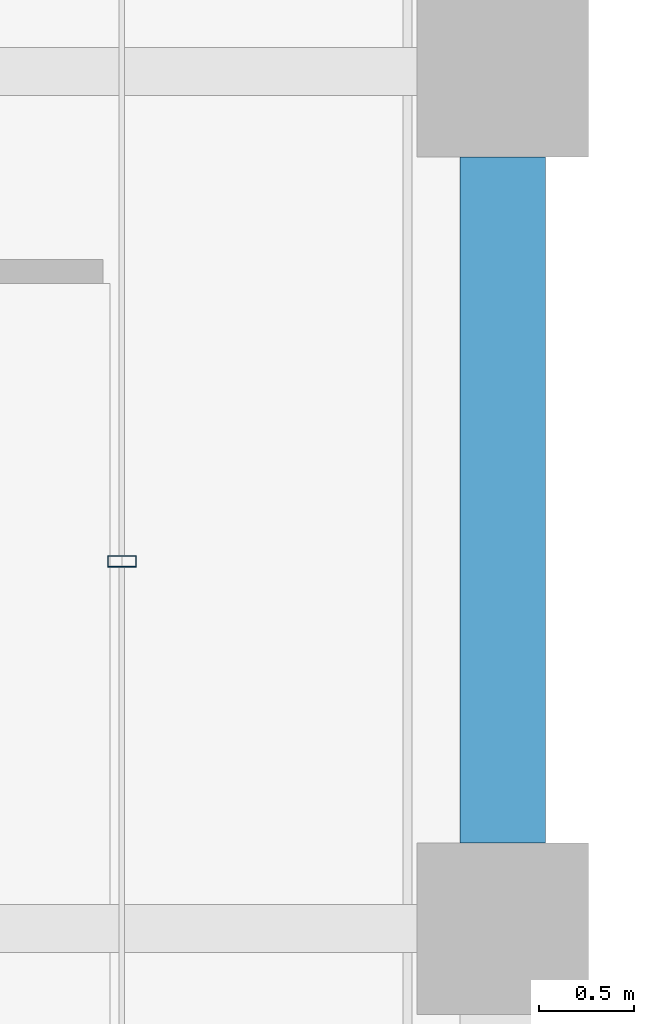
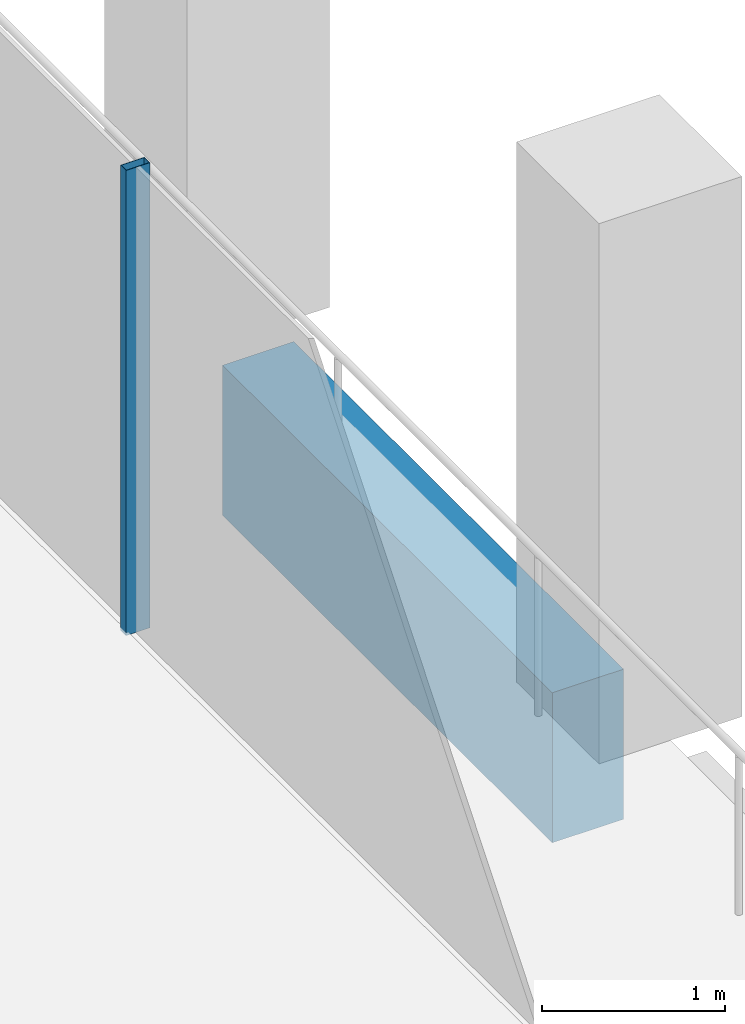
# One storey, part 17 of 40: 1 beam, 1 member, 1 element without a shape of its own.
"""IFC4 building model written with IfcOpenShell, lengths in metres."""

from ifc_helpers import new_model, si_unit, direction, frame, origin, origin_2d, place, context, subcontext, project, spatial, rectangle, hollow_rectangle, extrude, material, material_profile, profile_set, type_object, element, aggregate, save


model = new_model("IFC4")

# Units and contexts
model_context = context("Model", 3, precision=1e-05, world=origin(), true_north=direction((0.0, 1.0)))
body_context = subcontext(model_context, "Body", "Model", "MODEL_VIEW")
ifc_project = project(units=[si_unit("LENGTHUNIT", "METRE"), si_unit("AREAUNIT", "SQUARE_METRE"), si_unit("VOLUMEUNIT", "CUBIC_METRE"), si_unit("PLANEANGLEUNIT", "RADIAN"), si_unit("MASSUNIT", "GRAM", prefix="KILO")], contexts=[model_context])

# Site, building, storey
site_placement = place(None, origin())
site = spatial("IfcSite", under=ifc_project, at=site_placement, CompositionType="ELEMENT")
building_placement = place(site_placement, origin())
building = spatial("IfcBuilding", under=site, at=building_placement, Name="Altepetl Exchange Towers", CompositionType="ELEMENT")
storey_placement = place(building_placement, frame((0.0, 0.0, 161.800048828125)))
storey = spatial("IfcBuildingStorey", under=building, at=storey_placement, Name="L40", CompositionType="ELEMENT", Elevation=161.800048828125)

# Curtain wall, member
ifc_material_1 = material(Name="Aluminium 6063-T6 glazing", Category="aluminium")
curtain_wall_type = type_object("IfcCurtainWallType", Name="Loggia glazing system", PredefinedType="NOTDEFINED", material=ifc_material_1)
curtain_wall_placement = place(storey_placement, origin())
curtain_wall = element("IfcCurtainWall", 1, at=curtain_wall_placement, inside=storey, type_object=curtain_wall_type, Name="CW1 run", PredefinedType="NOTDEFINED")
ifc_material_2 = material(Name="Aluminium 6063-T6", Category="aluminium")
ifc_material_profile_1 = material_profile(ifc_material_2, hollow_rectangle(XDim=0.06005859375, YDim=0.14990234375, WallThickness=0.0029296875, at=origin_2d()), Name="Mullion 60x150 aluminium")
ifc_profile_set_1 = profile_set([ifc_material_profile_1], Name="Aluminium 6063-T6")
member_type = type_object("IfcMemberType", Name="Mullion 60x150 aluminium", PredefinedType="MULLION", material=ifc_profile_set_1)
member_placement = place(storey_placement, frame((70.0, 46.927978515625, 0.0), z_axis=(0.0, 0.0, 1.0), x_axis=(0.0, 1.0, 0.0)))
member = element("IfcMember", 2, at=member_placement, type_object=member_type, Name="MU1 mullion", PredefinedType="MULLION", context=body_context, shape_type="SweptSolid", body=[
    extrude(hollow_rectangle(XDim=0.06005859375, YDim=0.14990234375, WallThickness=0.0029296875, at=origin_2d()), origin(), (0.0, 0.0, 1.0), 3.099853515625),
])
aggregate(curtain_wall, [member])

# Beam
ifc_material_3 = material(Name="Concrete C50/60 precast with cantera amarilla facing", Category="concrete")
ifc_material_profile_2 = material_profile(ifc_material_3, rectangle(XDim=0.449951171875, YDim=1.0, at=origin_2d()), Name="450 x 1000")
ifc_profile_set_2 = profile_set([ifc_material_profile_2], Name="Concrete C50/60 precast with cantera amarilla facing")
beam_type = type_object("IfcBeamType", Name="Spandrel beam 450x1000 cantera amarilla", PredefinedType="SPANDREL", material=ifc_profile_set_2)
beam_placement = place(storey_placement, frame((72.0, 45.449951171875, -0.650146484375), z_axis=(0.0, 1.0, 0.0), x_axis=(-1.0, 0.0, 0.0)))
element("IfcBeam", 3, at=beam_placement, inside=storey, type_object=beam_type, Name="sp:A:L40:015", PredefinedType="SPANDREL", context=body_context, shape_type="SweptSolid", body=[
    extrude(rectangle(XDim=0.449951171875, YDim=1.0, at=origin_2d()), origin(), (0.0, 0.0, 1.0), 3.60009765625),
])

save(model, "model.ifc")
